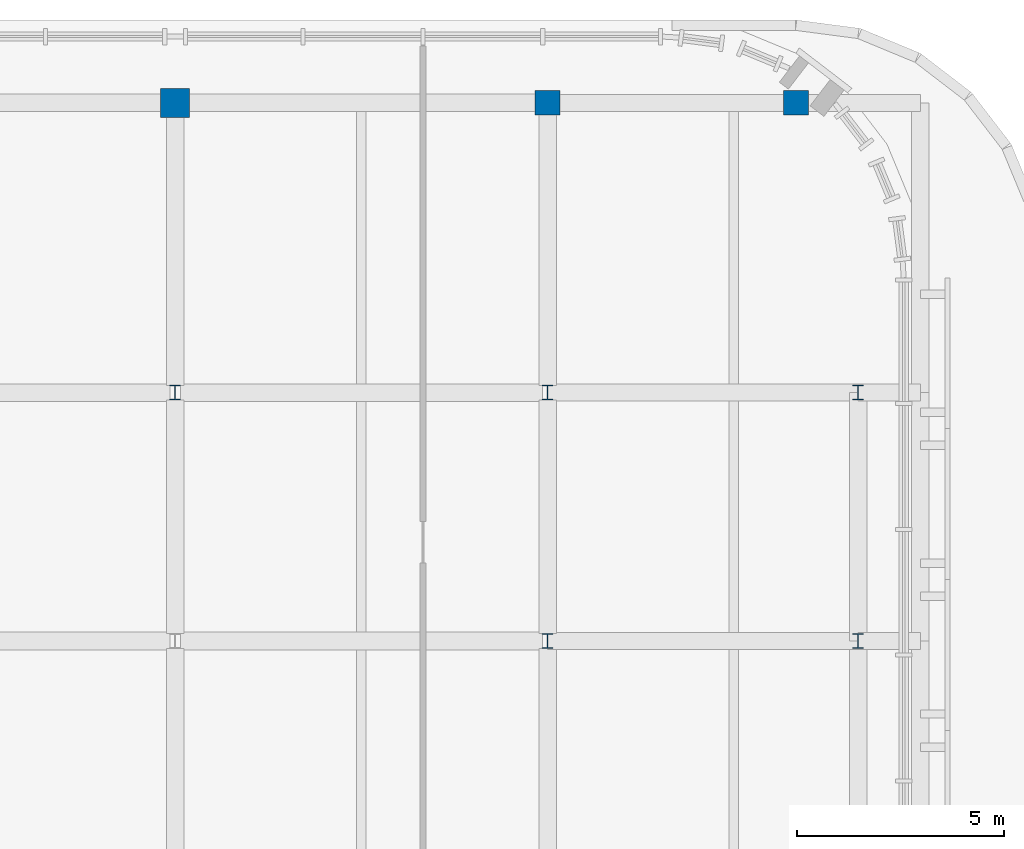
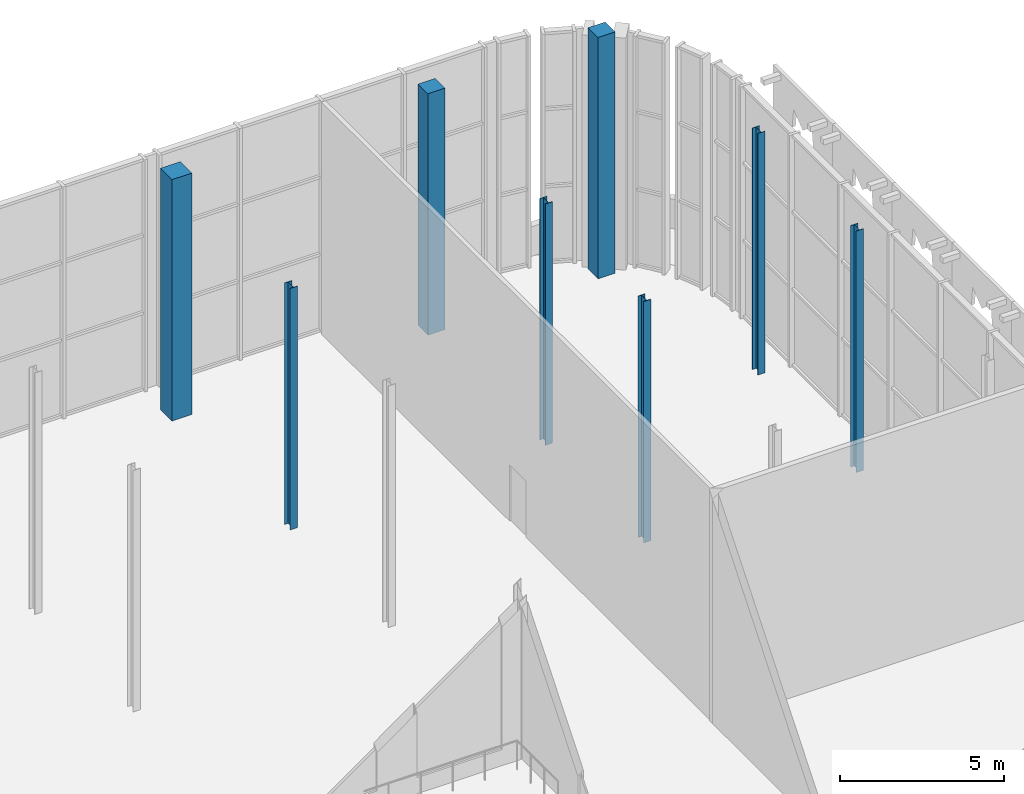
# One storey, part 4 of 26: 8 columns.
"""IFC4 building model written with IfcOpenShell, lengths in metres."""

import ifcopenshell
import ifcopenshell.guid

model = None  # the IFC model being written
_history = None  # IfcOwnerHistory: only IFC2X3 demands one
_inside = {}  # id of a spatial element -> (the spatial element, [elements in it])
_under = {}  # id of a project, library or spatial element -> (it, [spatial elements below it])
_declared = {}  # id of a project -> (the project, [libraries it declares])
_typed = {}  # id of a type object -> (the type object, [elements of that type])
_made_of = {}  # id of a material, layer set ... -> (it, [elements and type objects made of it])


def new_model(schema):
    """Start an empty IFC model of exactly this schema.

    Asked for "IFC4X3", IfcOpenShell would pick the latest addendum, in which some entities
    have other attributes; the version numbers below select the first issue.
    IFC2X3 requires an IfcOwnerHistory on every rooted entity: one is made here for all.
    """
    global model, _history
    if schema == "IFC4X3":
        model = ifcopenshell.file(schema_version=(4, 3, 0, 0))
    else:
        model = ifcopenshell.file(schema=schema)
    _inside.clear()
    _under.clear()
    _declared.clear()
    _typed.clear()
    _made_of.clear()
    _history = None
    if model.schema == "IFC2X3":
        org = make("IfcOrganization", Name="unknown")
        user = make(
            "IfcPersonAndOrganization",
            ThePerson=make("IfcPerson", FamilyName="unknown"),
            TheOrganization=org,
        )
        app = make(
            "IfcApplication",
            ApplicationDeveloper=org,
            Version="unknown",
            ApplicationFullName="unknown",
            ApplicationIdentifier="unknown",
        )
        _history = make(
            "IfcOwnerHistory",
            OwningUser=user,
            OwningApplication=app,
            ChangeAction="ADDED",
            CreationDate=0,
        )
    return model


def make(cls, **values):
    """One entity of the class cls with the attributes given. An attribute that is None is left unset."""
    return model.create_entity(
        cls, **{name: value for name, value in values.items() if value is not None}
    )


def rooted(cls, **values):
    """An entity with a GlobalId (a new one), such as an element, a storey or a relation."""
    return make(cls, GlobalId=ifcopenshell.guid.new(), OwnerHistory=_history, **values)


def si_unit(unit_type, name, prefix=None):
    """IfcSIUnit, for example si_unit("LENGTHUNIT", "METRE", prefix="MILLI")."""
    return make("IfcSIUnit", UnitType=unit_type, Prefix=prefix, Name=name)


def assignment(units):
    """IfcUnitAssignment: the units of a project."""
    return None if units is None else make("IfcUnitAssignment", Units=units)


def point(xyz):
    """IfcCartesianPoint."""
    return None if xyz is None else make("IfcCartesianPoint", Coordinates=xyz)


def direction(xyz):
    """IfcDirection."""
    return None if xyz is None else make("IfcDirection", DirectionRatios=xyz)


def frame(location, z_axis=None, x_axis=None):
    """IfcAxis2Placement3D, a coordinate frame: its origin and axes. An axis left out is left unset."""
    return make(
        "IfcAxis2Placement3D",
        Location=point(location),
        Axis=direction(z_axis),
        RefDirection=direction(x_axis),
    )


def frame_2d(location, x_axis=None):
    """IfcAxis2Placement2D, a coordinate frame in the plane: its origin and x axis."""
    return make(
        "IfcAxis2Placement2D", Location=point(location), RefDirection=direction(x_axis)
    )


def origin():
    """The frame at (0, 0, 0) with its axes left unset."""
    return frame((0.0, 0.0, 0.0))


def origin_2d():
    """The frame at (0, 0) in the plane with its x axis left unset."""
    return frame_2d((0.0, 0.0))


def place(relative_to, where):
    """IfcLocalPlacement: puts the frame where relative to a parent placement (None: the world)."""
    return make(
        "IfcLocalPlacement", PlacementRelTo=relative_to, RelativePlacement=where
    )


def context(
    kind, dimensions, precision=None, world=None, true_north=None, identifier=None
):
    """IfcGeometricRepresentationContext, for example the 3D "Model" context."""
    return make(
        "IfcGeometricRepresentationContext",
        ContextIdentifier=identifier,
        ContextType=kind,
        CoordinateSpaceDimension=dimensions,
        Precision=precision,
        WorldCoordinateSystem=world,
        TrueNorth=true_north,
    )


def subcontext(parent, identifier, kind, view, scale=None):
    """IfcGeometricRepresentationSubContext, for example "Body" below "Model"."""
    return make(
        "IfcGeometricRepresentationSubContext",
        ContextIdentifier=identifier,
        ContextType=kind,
        ParentContext=parent,
        TargetScale=scale,
        TargetView=view,
    )


def project(units=None, contexts=None):
    """IfcProject with its units and contexts."""
    return rooted(
        "IfcProject",
        Name="project",
        RepresentationContexts=contexts,
        UnitsInContext=assignment(units),
    )


def spatial(cls, under=None, at=None, **own):
    """A site, building, storey or space (cls), placed at a placement, below another one or the project."""
    s = rooted(cls, ObjectPlacement=at, **own)
    if under is not None:
        _under.setdefault(under.id(), (under, []))[1].append(s)
    return s


def profile(cls, at=None, kind="AREA", **sizes):
    """A parametric profile (cls). Its sizes go by their IFC names, for example OverallWidth=200.0."""
    return make(cls, ProfileType=kind, Position=at, **sizes)


def rectangle(**sizes):
    """IfcRectangleProfileDef."""
    return profile("IfcRectangleProfileDef", **sizes)


def i_section(**sizes):
    """IfcIShapeProfileDef."""
    return profile("IfcIShapeProfileDef", **sizes)


def extrude(swept, where, along, depth):
    """IfcExtrudedAreaSolid: the profile swept, set in the frame where, extruded along a direction by depth."""
    return make(
        "IfcExtrudedAreaSolid",
        SweptArea=swept,
        Position=where,
        ExtrudedDirection=direction(along),
        Depth=depth,
    )


def shape(context_of_items, identifier, shape_type, items):
    """IfcShapeRepresentation: the items that make up one representation, for example the "Body"."""
    return make(
        "IfcShapeRepresentation",
        ContextOfItems=context_of_items,
        RepresentationIdentifier=identifier,
        RepresentationType=shape_type,
        Items=items,
    )


def material(Name=None, Category=None):
    """IfcMaterial."""
    return make("IfcMaterial", Name=Name, Category=Category)


def material_profile(
    of_material, cross_section, Name=None, Category=None, Priority=None
):
    """IfcMaterialProfile: a cross section and its material."""
    return make(
        "IfcMaterialProfile",
        Name=Name,
        Material=of_material,
        Profile=cross_section,
        Priority=Priority,
        Category=Category,
    )


def profile_set(profiles, Name=None, composite=None):
    """IfcMaterialProfileSet."""
    return make(
        "IfcMaterialProfileSet",
        Name=Name,
        MaterialProfiles=profiles,
        CompositeProfile=composite,
    )


def made_of(thing, what):
    """Note that an element or type object is made of a material, layer set ...; save() writes the relation."""
    if what is not None:
        _made_of.setdefault(what.id(), (what, []))[1].append(thing)
    return thing


def type_object(cls, material=None, **own):
    """A type object (cls), such as IfcWallType, which elements share."""
    return made_of(rooted(cls, **own), material)


def element(
    cls,
    number,
    at=None,
    inside=None,
    cuts=None,
    type_object=None,
    material=None,
    context=None,
    identifier="Body",
    shape_type=None,
    held_by="IfcProductDefinitionShape",
    body=None,
    shapes=None,
    **own,
):
    """One element of the class cls, such as IfcWall. Its Tag is "e" and its number.

    at: its placement. inside: the storey or other place that contains it. cuts: it is an
    opening in that element (IfcRelVoidsElement). A single representation is given by context,
    identifier, shape_type and body (its items); several are given by shapes. held_by: the class
    of the entity that holds the representations. save() writes the other relations.
    """
    e = rooted(cls, Tag="e%d" % number, ObjectPlacement=at, **own)
    if body is not None:
        shapes = [shape(context, identifier, shape_type, body)]
    if shapes is not None:
        e.Representation = make(held_by, Representations=shapes)
    if inside is not None:
        _inside.setdefault(inside.id(), (inside, []))[1].append(e)
    if cuts is not None:
        rooted(
            "IfcRelVoidsElement", RelatingBuildingElement=cuts, RelatedOpeningElement=e
        )
    if type_object is not None:
        _typed.setdefault(type_object.id(), (type_object, []))[1].append(e)
    return made_of(e, material)


def aggregate(whole, parts):
    """IfcRelAggregates: a whole, such as a stair, and the parts it consists of."""
    return rooted("IfcRelAggregates", RelatingObject=whole, RelatedObjects=parts)


def save(model, path):
    """Write the relations noted so far, then the file.

    IfcRelAggregates (storeys below a building ...), IfcRelContainedInSpatialStructure (elements
    in a storey), IfcRelDefinesByType, IfcRelAssociatesMaterial and IfcRelDeclares: one each for
    every whole, place, type object, material and project.
    """
    for whole, parts in _under.values():
        aggregate(whole, parts)
    for where, things in _inside.values():
        rooted(
            "IfcRelContainedInSpatialStructure",
            RelatedElements=things,
            RelatingStructure=where,
        )
    for kind, things in _typed.values():
        rooted("IfcRelDefinesByType", RelatedObjects=things, RelatingType=kind)
    for what, things in _made_of.values():
        rooted("IfcRelAssociatesMaterial", RelatedObjects=things, RelatingMaterial=what)
    for by, libraries in _declared.values():
        rooted("IfcRelDeclares", RelatingContext=by, RelatedDefinitions=libraries)
    model.write(path)


model = new_model("IFC4")

# Units and contexts
model_context = context("Model", 3, precision=1e-05, world=origin(), true_north=direction((0.0, 1.0)))
body_context = subcontext(model_context, "Body", "Model", "MODEL_VIEW")
ifc_project = project(units=[si_unit("LENGTHUNIT", "METRE"), si_unit("AREAUNIT", "SQUARE_METRE"), si_unit("VOLUMEUNIT", "CUBIC_METRE"), si_unit("PLANEANGLEUNIT", "RADIAN"), si_unit("MASSUNIT", "GRAM", prefix="KILO")], contexts=[model_context])

# Site, building, storey
site_placement = place(None, origin())
site = spatial("IfcSite", under=ifc_project, at=site_placement, CompositionType="ELEMENT")
building_placement = place(site_placement, origin())
building = spatial("IfcBuilding", under=site, at=building_placement, Name="Zellij Exchange Tower", CompositionType="ELEMENT")
storey_placement = place(building_placement, frame((0.0, 0.0, 296.5)))
storey = spatial("IfcBuildingStorey", under=building, at=storey_placement, Name="L70", CompositionType="ELEMENT", Elevation=296.5)

# Columns
ifc_material_1 = material(Name="Concrete C50/60", Category="concrete")
ifc_material_profile_1 = material_profile(ifc_material_1, rectangle(XDim=0.60009765625, YDim=0.60009765625, at=origin_2d()), Name="STR-COLUMN RC600x600 C50/60")
ifc_profile_set_1 = profile_set([ifc_material_profile_1], Name="Concrete C50/60")
column_type_1 = type_object("IfcColumnType", Name="STR-COLUMN RC600x600 C50/60", PredefinedType="COLUMN", material=ifc_profile_set_1)
for number, where, z_axis, x_axis, name in (
    (1, (18.0, 35.0, 0.0), (0.0, 0.0, 1.0), (1.0, 0.0, 0.0), "C13"),
    (2, (24.0, 35.0, 0.0), (0.0, 0.0, 1.0), (1.0, 0.0, 0.0), "C13"),
):
    element("IfcColumn", number, at=place(storey_placement, frame(where, z_axis=z_axis, x_axis=x_axis)), inside=storey, type_object=column_type_1, Name=name, PredefinedType="COLUMN", context=body_context, shape_type="SweptSolid", body=[
        extrude(rectangle(XDim=0.60009765625, YDim=0.60009765625, at=origin_2d()), origin(), (0.0, 0.0, 1.0), 9.0),
    ])
ifc_material_2 = material(Name="Structural steel ASTM A992 Gr 50", Category="steel")
ifc_material_profile_2 = material_profile(ifc_material_2, i_section(OverallWidth=0.25390625, OverallDepth=0.35302734375, WebThickness=0.009521484375, FlangeThickness=0.016357421875, at=origin_2d()), Name="W14x61")
ifc_profile_set_2 = profile_set([ifc_material_profile_2], Name="Structural steel ASTM A992 Gr 50")
column_type_2 = type_object("IfcColumnType", Name="STR-COLUMN W14x61", PredefinedType="COLUMN", material=ifc_profile_set_2)
for number, where, z_axis, x_axis, name in (
    (3, (18.0, 22.0, 0.0), (0.0, 0.0, 1.0), (1.0, 0.0, 0.0), "C6"),
    (4, (25.5, 22.0, 0.0), (0.0, 0.0, 1.0), (1.0, 0.0, 0.0), "C6"),
    (5, (9.0, 28.0, 0.0), (0.0, 0.0, 1.0), (1.0, 0.0, 0.0), "C6"),
    (6, (18.0, 28.0, 0.0), (0.0, 0.0, 1.0), (1.0, 0.0, 0.0), "C6"),
    (7, (25.5, 28.0, 0.0), (0.0, 0.0, 1.0), (1.0, 0.0, 0.0), "C6"),
):
    element("IfcColumn", number, at=place(storey_placement, frame(where, z_axis=z_axis, x_axis=x_axis)), inside=storey, type_object=column_type_2, Name=name, PredefinedType="COLUMN", context=body_context, shape_type="SweptSolid", body=[
        extrude(i_section(OverallWidth=0.25390625, OverallDepth=0.35302734375, WebThickness=0.009521484375, FlangeThickness=0.016357421875, at=origin_2d()), origin(), (0.0, 0.0, 1.0), 9.0),
    ])
ifc_material_profile_3 = material_profile(ifc_material_1, rectangle(XDim=0.699951171875, YDim=0.699951171875, at=origin_2d()), Name="STR-MEGA COLUMN RC700x700 C50/60")
ifc_profile_set_3 = profile_set([ifc_material_profile_3], Name="Concrete C50/60")
column_type_3 = type_object("IfcColumnType", Name="STR-MEGA COLUMN RC700x700 C50/60", PredefinedType="COLUMN", material=ifc_profile_set_3)
column_placement = place(storey_placement, frame((9.0, 35.0, 0.0), z_axis=(0.0, 0.0, 1.0), x_axis=(1.0, 0.0, 0.0)))
element("IfcColumn", 8, at=column_placement, inside=storey, type_object=column_type_3, Name="MC9", PredefinedType="COLUMN", context=body_context, shape_type="SweptSolid", body=[
    extrude(rectangle(XDim=0.699951171875, YDim=0.699951171875, at=origin_2d()), origin(), (0.0, 0.0, 1.0), 9.0),
])

save(model, "model.ifc")
